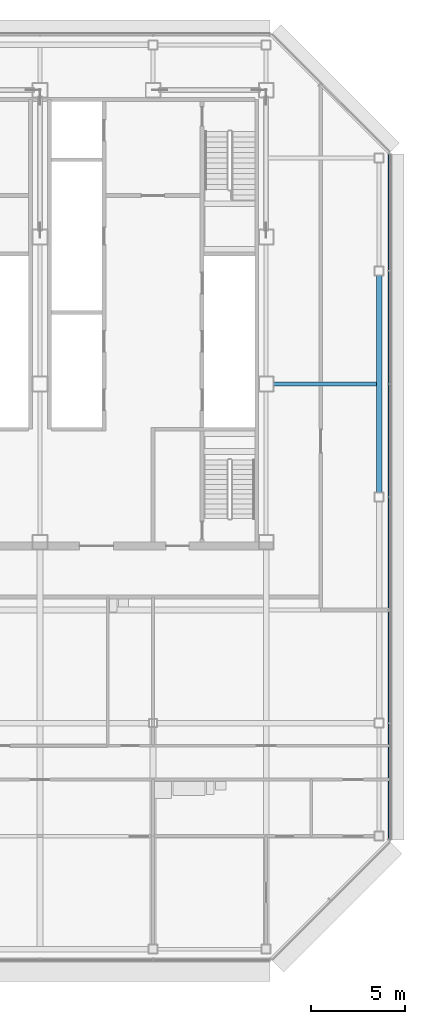
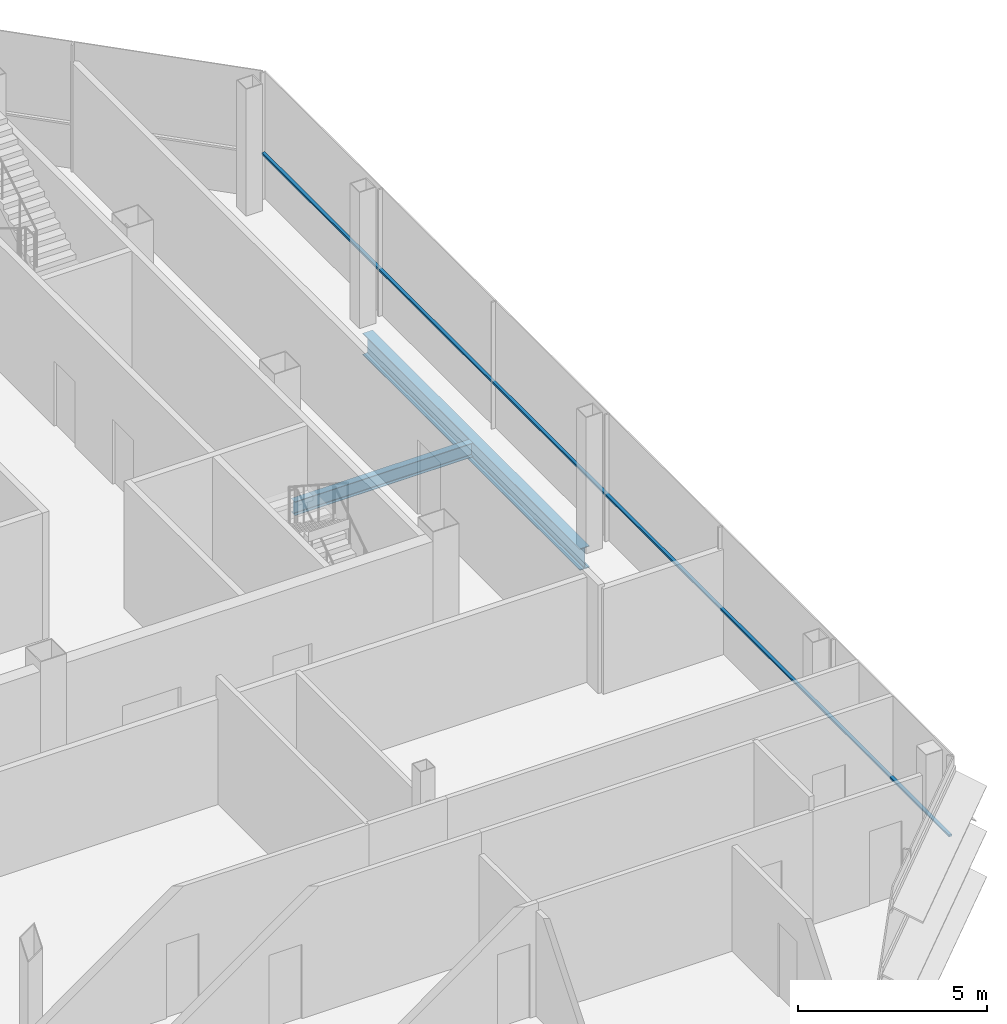
# One storey, part 18 of 29: 2 beams, 1 member, 1 element without a shape of its own.
"""IFC4 building model written with IfcOpenShell, lengths in metres."""

from ifc_helpers import new_model, si_unit, direction, frame, origin, origin_2d, place, context, subcontext, project, spatial, rectangle, i_section, extrude, material, material_profile, profile_set, type_object, element, aggregate, save


model = new_model("IFC4")

# Units and contexts
model_context = context("Model", 3, precision=1e-05, world=origin(), true_north=direction((0.0, 1.0)))
body_context = subcontext(model_context, "Body", "Model", "MODEL_VIEW")
ifc_project = project(units=[si_unit("LENGTHUNIT", "METRE"), si_unit("AREAUNIT", "SQUARE_METRE"), si_unit("VOLUMEUNIT", "CUBIC_METRE"), si_unit("PLANEANGLEUNIT", "RADIAN"), si_unit("MASSUNIT", "GRAM", prefix="KILO")], contexts=[model_context])

# Site, building, storey
site_placement = place(None, origin())
site = spatial("IfcSite", under=ifc_project, at=site_placement, CompositionType="ELEMENT")
building_placement = place(site_placement, origin())
building = spatial("IfcBuilding", under=site, at=building_placement, Name="Sorahane Residences", CompositionType="ELEMENT")
storey_placement = place(building_placement, frame((0.0, 0.0, 326.800048828125)))
storey = spatial("IfcBuildingStorey", under=building, at=storey_placement, Name="L78", CompositionType="ELEMENT", Elevation=326.800048828125)

# Curtain wall, member
ifc_material_1 = material(Name="Dark low-e glass and black anodised aluminium", Category="aluminium")
curtain_wall_type = type_object("IfcCurtainWallType", Name="Curtain wall CW-1 Typical unitised wall", PredefinedType="NOTDEFINED", material=ifc_material_1)
curtain_wall_placement = place(storey_placement, origin())
curtain_wall = element("IfcCurtainWall", 1, at=curtain_wall_placement, inside=storey, type_object=curtain_wall_type, Name="CW-1 curtain wall L78 E1", PredefinedType="NOTDEFINED")
ifc_material_2 = material(Name="Black anodised aluminium", Category="aluminium")
ifc_material_profile_1 = material_profile(ifc_material_2, rectangle(XDim=0.10009765625, YDim=0.06005859375, at=origin_2d()), Name="Curtain wall transom CW-1 black anodised aluminium 60x100")
ifc_profile_set_1 = profile_set([ifc_material_profile_1], Name="Black anodised aluminium")
member_type = type_object("IfcMemberType", Name="Curtain wall transom CW-1 black anodised aluminium 60x100", PredefinedType="USERDEFINED", material=ifc_profile_set_1)
member_placement = place(storey_placement, frame((48.530029296875, 5.801513671875, 1.5), z_axis=(0.0, 1.0, 0.0), x_axis=(-1.0, 0.0, 0.0)))
member = element("IfcMember", 2, at=member_placement, type_object=member_type, Name="CW-1 transom L78 E1", ObjectType="TRANSOM", PredefinedType="USERDEFINED", context=body_context, shape_type="SweptSolid", body=[
    extrude(rectangle(XDim=0.10009765625, YDim=0.06005859375, at=origin_2d()), origin(), (0.0, 0.0, 1.0), 36.39697265625),
])
aggregate(curtain_wall, [member])

# Beams
ifc_material_3 = material(Name="Steel Q355B", Category="steel")
ifc_material_profile_2 = material_profile(ifc_material_3, i_section(OverallWidth=0.199951171875, OverallDepth=0.449951171875, WebThickness=0.009033203125, FlangeThickness=0.013916015625, FilletRadius=0.02001953125, at=origin_2d()), Name="HN 450x200x9x14")
ifc_profile_set_2 = profile_set([ifc_material_profile_2], Name="Steel Q355B")
beam_type_1 = type_object("IfcBeamType", Name="Steel floor beam HN 450x200x9x14 Q355B", PredefinedType="BEAM", material=ifc_profile_set_2)
beam_1_placement = place(storey_placement, frame((42.39990234375, 30.0, -0.405029296875), z_axis=(1.0, 0.0, 0.0), x_axis=(0.0, 1.0, 0.0)))
element("IfcBeam", 3, at=beam_1_placement, inside=storey, type_object=beam_type_1, Name="Beam L78 086", PredefinedType="BEAM", context=body_context, shape_type="SweptSolid", body=[
    extrude(i_section(OverallWidth=0.199951171875, OverallDepth=0.449951171875, WebThickness=0.009033203125, FlangeThickness=0.013916015625, FilletRadius=0.02001953125, at=origin_2d()), origin(), (0.0, 0.0, 1.0), 5.4501953125),
])
ifc_material_4 = material(Name="Steel Q355B", Category="steel")
ifc_material_profile_3 = material_profile(ifc_material_4, i_section(OverallWidth=0.300048828125, OverallDepth=0.699951171875, WebThickness=0.012939453125, FlangeThickness=0.02392578125, FilletRadius=0.028076171875, at=origin_2d()), Name="HN 700x300x13x24")
ifc_profile_set_3 = profile_set([ifc_material_profile_3], Name="Steel Q355B")
beam_type_2 = type_object("IfcBeamType", Name="Steel floor beam HN 700x300x13x24 Q355B", PredefinedType="BEAM", material=ifc_profile_set_3)
beam_2_placement = place(storey_placement, frame((48.0, 24.25, -0.530029296875), z_axis=(0.0, 1.0, 0.0), x_axis=(-1.0, 0.0, 0.0)))
element("IfcBeam", 4, at=beam_2_placement, inside=storey, type_object=beam_type_2, Name="Beam L78 064", PredefinedType="BEAM", context=body_context, shape_type="SweptSolid", body=[
    extrude(i_section(OverallWidth=0.300048828125, OverallDepth=0.699951171875, WebThickness=0.012939453125, FlangeThickness=0.02392578125, FilletRadius=0.028076171875, at=origin_2d()), origin(), (0.0, 0.0, 1.0), 11.5),
])

save(model, "model.ifc")
